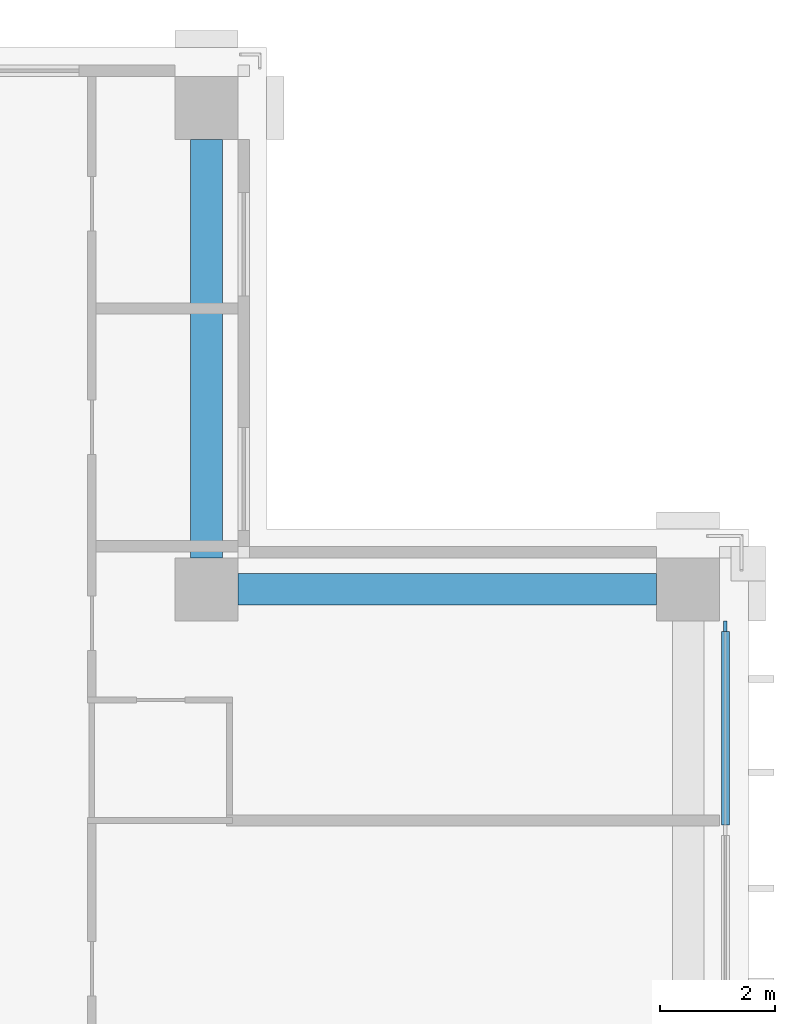
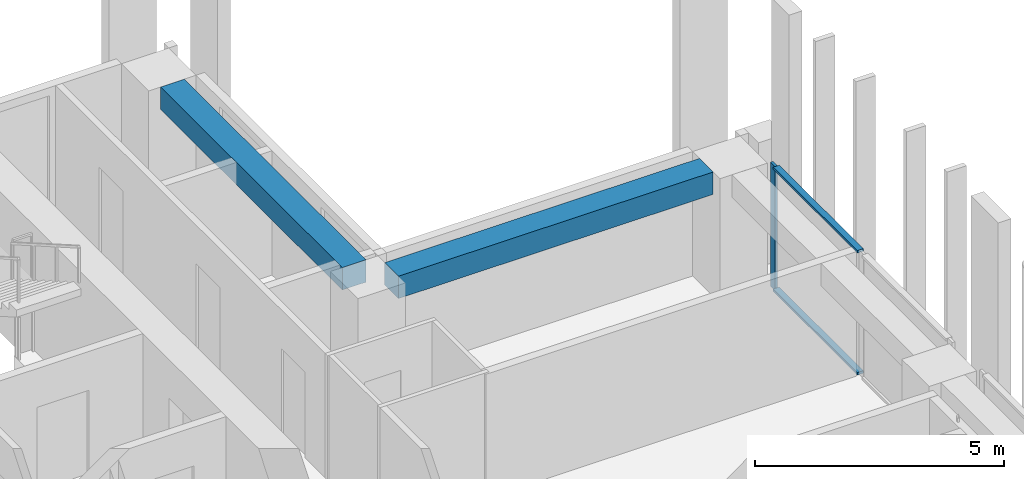
# One storey, part 7 of 17: 3 members, 2 beams, 1 element without a shape of its own.
"""IFC4 building model written with IfcOpenShell, lengths in metres."""

from ifc_helpers import new_model, si_unit, direction, frame, origin, origin_2d, place, context, subcontext, project, spatial, rectangle, extrude, material, material_profile, profile_set, type_object, element, aggregate, save


model = new_model("IFC4")

# Units and contexts
model_context = context("Model", 3, precision=1e-05, world=origin(), true_north=direction((0.0, 1.0)))
body_context = subcontext(model_context, "Body", "Model", "MODEL_VIEW")
ifc_project = project(units=[si_unit("LENGTHUNIT", "METRE"), si_unit("AREAUNIT", "SQUARE_METRE"), si_unit("VOLUMEUNIT", "CUBIC_METRE"), si_unit("PLANEANGLEUNIT", "RADIAN"), si_unit("MASSUNIT", "GRAM", prefix="KILO")], contexts=[model_context])

# Site, building, storey
site_placement = place(None, origin())
site = spatial("IfcSite", under=ifc_project, at=site_placement, CompositionType="ELEMENT")
building_placement = place(site_placement, origin())
building = spatial("IfcBuilding", under=site, at=building_placement, Name="Vermilion Ogive Tower", CompositionType="ELEMENT")
storey_placement = place(building_placement, frame((0.0, 0.0, 157.25)))
storey = spatial("IfcBuildingStorey", under=building, at=storey_placement, Name="L40", CompositionType="ELEMENT", Elevation=157.25)

# Curtain wall, members
ifc_material_1 = material(Name="Low-iron laminated glazing in aluminium frame", Category="aluminium")
curtain_wall_type = type_object("IfcCurtainWallType", Name="Curtain wall CW7", PredefinedType="NOTDEFINED", material=ifc_material_1)
curtain_wall_placement = place(storey_placement, origin())
curtain_wall = element("IfcCurtainWall", 1, at=curtain_wall_placement, inside=storey, type_object=curtain_wall_type, Name="Glazed skin E3", PredefinedType="NOTDEFINED")
ifc_material_2 = material(Name="Aluminium mullion", Category="aluminium")
ifc_material_profile_1 = material_profile(ifc_material_2, rectangle(XDim=0.06005859375, YDim=0.179931640625, at=origin_2d()), Name="AL 60x180")
ifc_profile_set_1 = profile_set([ifc_material_profile_1], Name="Aluminium mullion")
member_type_1 = type_object("IfcMemberType", Name="CW7 mullion 60x180", PredefinedType="MULLION", material=ifc_profile_set_1)
member_1_placement = place(storey_placement, frame((21.64990234375, 11.9599609375, 0.0), z_axis=(0.0, 0.0, 1.0), x_axis=(-1.0, 0.0, 0.0)))
member_1 = element("IfcMember", 2, at=member_1_placement, type_object=member_type_1, Name="CW7-E3 mullion 3", PredefinedType="MULLION", context=body_context, shape_type="SweptSolid", body=[
    extrude(rectangle(XDim=0.06005859375, YDim=0.179931640625, at=origin_2d()), origin(), (0.0, 0.0, 1.0), 3.050048828125),
])
ifc_material_3 = material(Name="Aluminium transom", Category="aluminium")
ifc_material_profile_2 = material_profile(ifc_material_3, rectangle(XDim=0.139892578125, YDim=0.06005859375, at=origin_2d()), Name="AL 60x140")
ifc_profile_set_2 = profile_set([ifc_material_profile_2], Name="Aluminium transom")
member_type_2 = type_object("IfcMemberType", Name="CW7 transom 60x140", PredefinedType="USERDEFINED", material=ifc_profile_set_2)
member_2_placement = place(storey_placement, frame((21.64990234375, 8.489990234375, 0.030029296875), z_axis=(0.0, 1.0, 0.0), x_axis=(-1.0, 0.0, 0.0)))
member_2 = element("IfcMember", 3, at=member_2_placement, type_object=member_type_2, Name="CW7-E3 transom 2.1", ObjectType="TRANSOM", PredefinedType="USERDEFINED", context=body_context, shape_type="SweptSolid", body=[
    extrude(rectangle(XDim=0.139892578125, YDim=0.06005859375, at=origin_2d()), origin(), (0.0, 0.0, 1.0), 3.380126953125),
])
member_3_placement = place(storey_placement, frame((21.64990234375, 8.489990234375, 3.02001953125), z_axis=(0.0, 1.0, 0.0), x_axis=(-1.0, 0.0, 0.0)))
member_3 = element("IfcMember", 4, at=member_3_placement, type_object=member_type_2, Name="CW7-E3 transom 2.2", ObjectType="TRANSOM", PredefinedType="USERDEFINED", context=body_context, shape_type="SweptSolid", body=[
    extrude(rectangle(XDim=0.139892578125, YDim=0.06005859375, at=origin_2d()), origin(), (0.0, 0.0, 1.0), 3.380126953125),
])
aggregate(curtain_wall, [member_1, member_2, member_3])

# Beams
ifc_material_4 = material(Name="Concrete B45", Category="concrete")
ifc_material_profile_3 = material_profile(ifc_material_4, rectangle(XDim=0.550048828125, YDim=0.550048828125, at=origin_2d()), Name="550 x 550")
ifc_profile_set_3 = profile_set([ifc_material_profile_3], Name="Concrete B45")
beam_type = type_object("IfcBeamType", Name="Edge beam 550 x 550 B45", PredefinedType="BEAM", material=ifc_profile_set_3)
for number, where, z_axis, x_axis, name in (
    (5, (20.449951171875, 12.60009765625, 2.77490234375), (-1.0, 0.0, 0.0), (0.0, -1.0, 0.0), "L40-EB-9"),
    (6, (12.60009765625, 13.14990234375, 2.77490234375), (0.0, 1.0, 0.0), (-1.0, 0.0, 0.0), "L40-EB-10"),
):
    element("IfcBeam", number, at=place(storey_placement, frame(where, z_axis=z_axis, x_axis=x_axis)), inside=storey, type_object=beam_type, Name=name, PredefinedType="BEAM", context=body_context, shape_type="SweptSolid", body=[
        extrude(rectangle(XDim=0.550048828125, YDim=0.550048828125, at=origin_2d()), origin(), (0.0, 0.0, 1.0), 7.300048828125),
    ])

save(model, "model.ifc")
